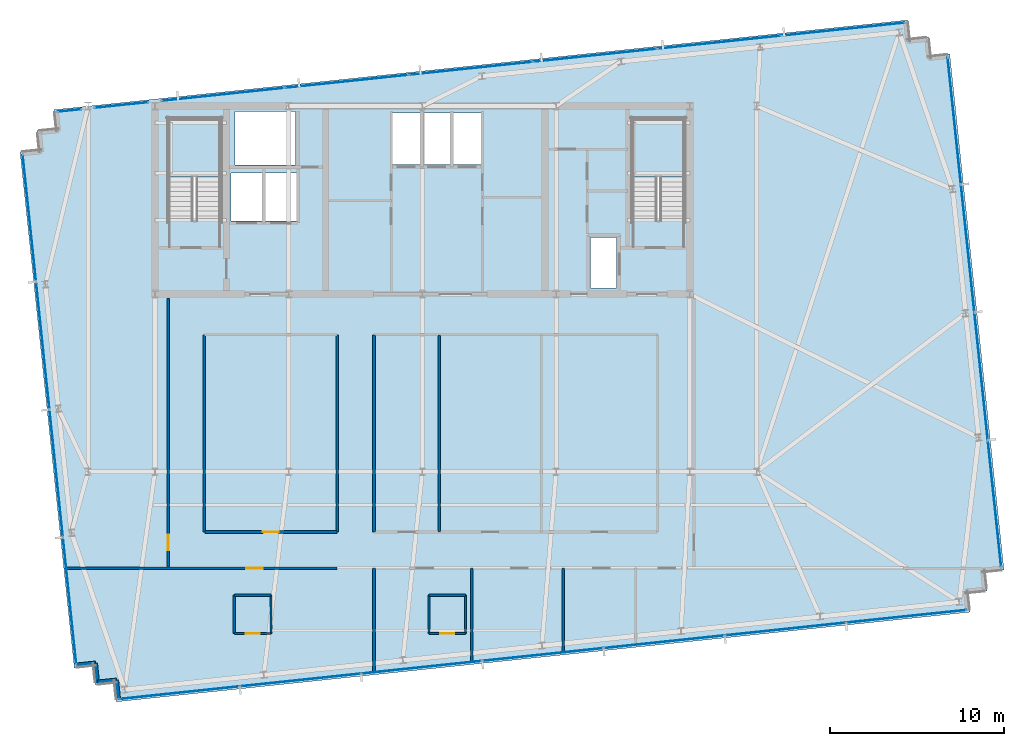
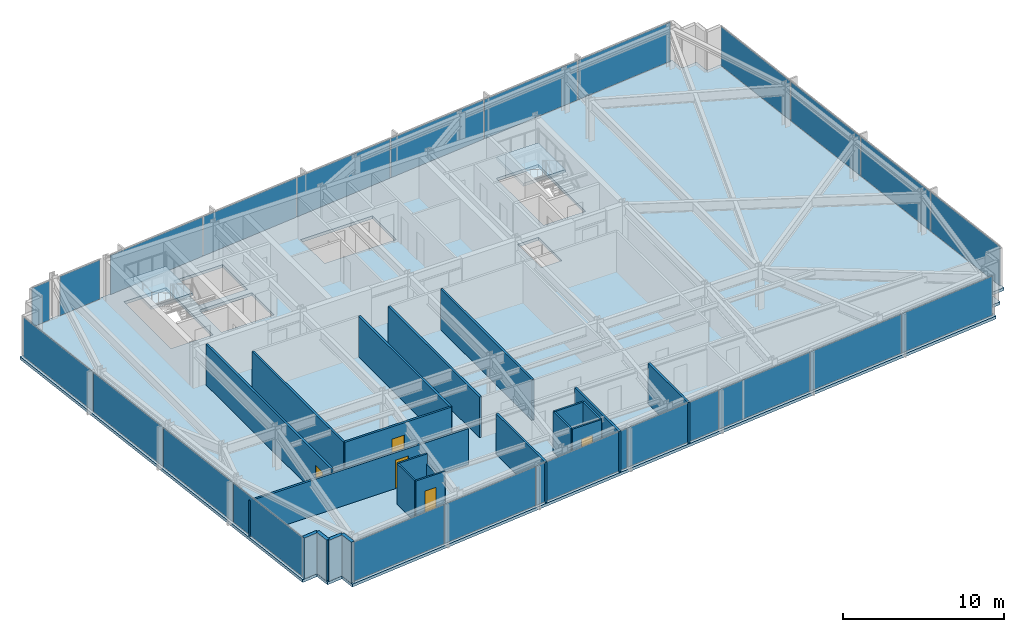
# One storey, part 26 of 32: 23 plates, 22 walls, 5 doors, 3 slabs, 5 openings, 8 elements without a shape of their own.
"""IFC4 building model written with IfcOpenShell, lengths in metres."""

from ifc_helpers import new_model, si_unit, direction, frame, frame_2d, origin, origin_2d, place, context, subcontext, project, spatial, polyline, rectangle, outline, extrude, material, layer, layer_set, type_object, element, fill, aggregate, save


model = new_model("IFC4")

# Units and contexts
model_context = context("Model", 3, precision=1e-05, world=origin(), true_north=direction((0.0, 1.0)))
body_context = subcontext(model_context, "Body", "Model", "MODEL_VIEW")
ifc_project = project(units=[si_unit("LENGTHUNIT", "METRE"), si_unit("AREAUNIT", "SQUARE_METRE"), si_unit("VOLUMEUNIT", "CUBIC_METRE"), si_unit("PLANEANGLEUNIT", "RADIAN"), si_unit("MASSUNIT", "GRAM", prefix="KILO")], contexts=[model_context])

# Site, building, storey
site_placement = place(None, origin())
site = spatial("IfcSite", under=ifc_project, at=site_placement, CompositionType="ELEMENT")
building_placement = place(site_placement, origin())
building = spatial("IfcBuilding", under=site, at=building_placement, Name="Yelkora Congress Tower", CompositionType="ELEMENT")
storey_placement = place(building_placement, frame((0.0, 0.0, 217.699951171875)))
storey = spatial("IfcBuildingStorey", under=building, at=storey_placement, Name="L60", CompositionType="ELEMENT", Elevation=217.699951171875)

# Curtain wall, plates
ifc_material_1 = material(Name="Anodised aluminium and insulated glass", Category="aluminium")
curtain_wall_type = type_object("IfcCurtainWallType", Name="CW-SYS-B4", PredefinedType="NOTDEFINED", material=ifc_material_1)
curtain_wall_1_placement = place(storey_placement, origin())
curtain_wall_1 = element("IfcCurtainWall", 1, at=curtain_wall_1_placement, inside=storey, type_object=curtain_wall_type, Name="L60 Unitised Curtain Wall 5", PredefinedType="NOTDEFINED")
ifc_material_2 = material(Name="Triple-silver diplomatic glass unit B4", Category="glass")
ifc_layer_1 = layer(ifc_material_2, 0.035888671875)
ifc_layer_set_1 = layer_set([ifc_layer_1], Name="Triple-silver diplomatic glass unit B4")
plate_type = type_object("IfcPlateType", Name="PLT-PN-B4", PredefinedType="CURTAIN_PANEL", material=ifc_layer_set_1)
plate_1_placement = place(storey_placement, frame((18.139404296875, 17.7724609375, 0.06005859375), z_axis=(0.0, 0.0, 1.0), x_axis=(-0.104526079034, 0.994522145958, 0.0)))
plate_1 = element("IfcPlate", 2, at=plate_1_placement, type_object=plate_type, Name="CW-B4 panel 1.1", PredefinedType="CURTAIN_PANEL", context=body_context, shape_type="SweptSolid", body=[
    extrude(rectangle(XDim=7.282470703125, YDim=0.035888671875, at=origin_2d()), origin(), (0.0, 0.0, 1.0), 2.9599609375),
])
plate_2_placement = place(storey_placement, frame((17.36962890625, 25.095703125, 0.06005859375), z_axis=(0.0, 0.0, 1.0), x_axis=(-0.104526079034, 0.994522145958, 0.0)))
plate_2 = element("IfcPlate", 3, at=plate_2_placement, type_object=plate_type, Name="CW-B4 panel 2.1", PredefinedType="CURTAIN_PANEL", context=body_context, shape_type="SweptSolid", body=[
    extrude(rectangle(XDim=7.31494140625, YDim=0.035888671875, at=origin_2d()), origin(), (0.0, 0.0, 1.0), 2.9599609375),
])
plate_3_placement = place(storey_placement, frame((16.59814453125, 32.435302734375, 0.06005859375), z_axis=(0.0, 0.0, 1.0), x_axis=(-0.104526079034, 0.994522145958, 0.0)))
plate_3 = element("IfcPlate", 4, at=plate_3_placement, type_object=plate_type, Name="CW-B4 panel 3.1", PredefinedType="CURTAIN_PANEL", context=body_context, shape_type="SweptSolid", body=[
    extrude(rectangle(XDim=7.31494140625, YDim=0.035888671875, at=origin_2d()), origin(), (0.0, 0.0, 1.0), 2.9599609375),
])
plate_4_placement = place(storey_placement, frame((15.82861328125, 39.7587890625, 0.06005859375), z_axis=(0.0, 0.0, 1.0), x_axis=(-0.104526079034, 0.994522145958, 0.0)))
plate_4 = element("IfcPlate", 5, at=plate_4_placement, type_object=plate_type, Name="CW-B4 panel 4.1", PredefinedType="CURTAIN_PANEL", context=body_context, shape_type="SweptSolid", body=[
    extrude(rectangle(XDim=7.282470703125, YDim=0.035888671875, at=origin_2d()), origin(), (0.0, 0.0, 1.0), 2.9599609375),
])
aggregate(curtain_wall_1, [plate_1, plate_2, plate_3, plate_4])

# Curtain wall, plate
curtain_wall_2_placement = place(storey_placement, origin())
curtain_wall_2 = element("IfcCurtainWall", 6, at=curtain_wall_2_placement, inside=storey, type_object=curtain_wall_type, Name="L60 Unitised Curtain Wall 10 (1)", PredefinedType="NOTDEFINED")
plate_5_placement = place(storey_placement, frame((18.136474609375, 45.940185546875, 0.06005859375), z_axis=(0.0, 0.0, 1.0), x_axis=(0.994523910137, 0.104509292244, 0.0)))
plate_5 = element("IfcPlate", 7, at=plate_5_placement, type_object=plate_type, Name="CW-B4 panel 1.1", PredefinedType="CURTAIN_PANEL", context=body_context, shape_type="SweptSolid", body=[
    extrude(rectangle(XDim=1.35302734375, YDim=0.035888671875, at=origin_2d()), origin(), (0.0, 0.0, 1.0), 2.9599609375),
])
aggregate(curtain_wall_2, [plate_5])

curtain_wall_3_placement = place(storey_placement, origin())
curtain_wall_3 = element("IfcCurtainWall", 8, at=curtain_wall_3_placement, inside=storey, type_object=curtain_wall_type, Name="L60 Unitised Curtain Wall 10 (2)", PredefinedType="NOTDEFINED")
plate_6_placement = place(storey_placement, frame((21.1201171875, 46.253662109375, 0.06005859375), z_axis=(0.0, 0.0, 1.0), x_axis=(0.994524239868, 0.104506154437, 0.0)))
plate_6 = element("IfcPlate", 9, at=plate_6_placement, type_object=plate_type, Name="CW-B4 panel 1.1", PredefinedType="CURTAIN_PANEL", context=body_context, shape_type="SweptSolid", body=[
    extrude(rectangle(XDim=3.075439453125, YDim=0.035888671875, at=origin_2d()), origin(), (0.0, 0.0, 1.0), 2.9599609375),
])
aggregate(curtain_wall_3, [plate_6])

# Curtain wall, plates
curtain_wall_4_placement = place(storey_placement, origin())
curtain_wall_4 = element("IfcCurtainWall", 10, at=curtain_wall_4_placement, inside=storey, type_object=curtain_wall_type, Name="L60 Unitised Curtain Wall 10 (3)", PredefinedType="NOTDEFINED")
plate_7_placement = place(storey_placement, frame((26.947509765625, 46.8662109375, 0.06005859375), z_axis=(0.0, 0.0, 1.0), x_axis=(0.994521973066, 0.104527724021, 0.0)))
plate_7 = element("IfcPlate", 11, at=plate_7_placement, type_object=plate_type, Name="CW-B4 panel 1.1", PredefinedType="CURTAIN_PANEL", context=body_context, shape_type="SweptSolid", body=[
    extrude(rectangle(XDim=7.072509765625, YDim=0.035888671875, at=origin_2d()), origin(), (0.0, 0.0, 1.0), 2.9599609375),
])
plate_8_placement = place(storey_placement, frame((34.06201171875, 47.614013671875, 0.06005859375), z_axis=(0.0, 0.0, 1.0), x_axis=(0.994521973066, 0.104527724021, 0.0)))
plate_8 = element("IfcPlate", 12, at=plate_8_placement, type_object=plate_type, Name="CW-B4 panel 2.1", PredefinedType="CURTAIN_PANEL", context=body_context, shape_type="SweptSolid", body=[
    extrude(rectangle(XDim=7.10498046875, YDim=0.035888671875, at=origin_2d()), origin(), (0.0, 0.0, 1.0), 2.9599609375),
])
plate_9_placement = place(storey_placement, frame((41.19287109375, 48.363525390625, 0.06005859375), z_axis=(0.0, 0.0, 1.0), x_axis=(0.994521973066, 0.104527724021, 0.0)))
plate_9 = element("IfcPlate", 13, at=plate_9_placement, type_object=plate_type, Name="CW-B4 panel 3.1", PredefinedType="CURTAIN_PANEL", context=body_context, shape_type="SweptSolid", body=[
    extrude(rectangle(XDim=7.10498046875, YDim=0.035888671875, at=origin_2d()), origin(), (0.0, 0.0, 1.0), 2.9599609375),
])
plate_10_placement = place(storey_placement, frame((48.32373046875, 49.113037109375, 0.06005859375), z_axis=(0.0, 0.0, 1.0), x_axis=(0.994521973066, 0.104527724021, 0.0)))
plate_10 = element("IfcPlate", 14, at=plate_10_placement, type_object=plate_type, Name="CW-B4 panel 4.1", PredefinedType="CURTAIN_PANEL", context=body_context, shape_type="SweptSolid", body=[
    extrude(rectangle(XDim=7.10498046875, YDim=0.035888671875, at=origin_2d()), origin(), (0.0, 0.0, 1.0), 2.9599609375),
])
plate_11_placement = place(storey_placement, frame((55.454345703125, 49.8623046875, 0.06005859375), z_axis=(0.0, 0.0, 1.0), x_axis=(0.994521973066, 0.104527724021, 0.0)))
plate_11 = element("IfcPlate", 15, at=plate_11_placement, type_object=plate_type, Name="CW-B4 panel 5.1", PredefinedType="CURTAIN_PANEL", context=body_context, shape_type="SweptSolid", body=[
    extrude(rectangle(XDim=7.10498046875, YDim=0.035888671875, at=origin_2d()), origin(), (0.0, 0.0, 1.0), 2.9599609375),
])
plate_12_placement = place(storey_placement, frame((62.56884765625, 50.610107421875, 0.06005859375), z_axis=(0.0, 0.0, 1.0), x_axis=(0.994521973066, 0.104527724021, 0.0)))
plate_12 = element("IfcPlate", 16, at=plate_12_placement, type_object=plate_type, Name="CW-B4 panel 6.1", PredefinedType="CURTAIN_PANEL", context=body_context, shape_type="SweptSolid", body=[
    extrude(rectangle(XDim=7.072509765625, YDim=0.035888671875, at=origin_2d()), origin(), (0.0, 0.0, 1.0), 2.9599609375),
])
aggregate(curtain_wall_4, [plate_7, plate_8, plate_9, plate_10, plate_11, plate_12])

curtain_wall_5_placement = place(storey_placement, origin())
curtain_wall_5 = element("IfcCurtainWall", 17, at=curtain_wall_5_placement, inside=storey, type_object=curtain_wall_type, Name="L60 Unitised Curtain Wall 15", PredefinedType="NOTDEFINED")
plate_13_placement = place(storey_placement, frame((68.955810546875, 45.3427734375, 0.06005859375), z_axis=(0.0, 0.0, 1.0), x_axis=(0.104525726898, -0.994522182968, 0.0)))
plate_13 = element("IfcPlate", 18, at=plate_13_placement, type_object=plate_type, Name="CW-B4 panel 1.1", PredefinedType="CURTAIN_PANEL", context=body_context, shape_type="SweptSolid", body=[
    extrude(rectangle(XDim=7.282470703125, YDim=0.035888671875, at=origin_2d()), origin(), (0.0, 0.0, 1.0), 2.9599609375),
])
plate_14_placement = place(storey_placement, frame((69.7255859375, 38.019287109375, 0.06005859375), z_axis=(0.0, 0.0, 1.0), x_axis=(0.104525726898, -0.994522182968, 0.0)))
plate_14 = element("IfcPlate", 19, at=plate_14_placement, type_object=plate_type, Name="CW-B4 panel 2.1", PredefinedType="CURTAIN_PANEL", context=body_context, shape_type="SweptSolid", body=[
    extrude(rectangle(XDim=7.31494140625, YDim=0.035888671875, at=origin_2d()), origin(), (0.0, 0.0, 1.0), 2.9599609375),
])
plate_15_placement = place(storey_placement, frame((70.496826171875, 30.6796875, 0.06005859375), z_axis=(0.0, 0.0, 1.0), x_axis=(0.104525726898, -0.994522182968, 0.0)))
plate_15 = element("IfcPlate", 20, at=plate_15_placement, type_object=plate_type, Name="CW-B4 panel 3.1", PredefinedType="CURTAIN_PANEL", context=body_context, shape_type="SweptSolid", body=[
    extrude(rectangle(XDim=7.31494140625, YDim=0.035888671875, at=origin_2d()), origin(), (0.0, 0.0, 1.0), 2.9599609375),
])
plate_16_placement = place(storey_placement, frame((71.2666015625, 23.356201171875, 0.06005859375), z_axis=(0.0, 0.0, 1.0), x_axis=(0.104525726898, -0.994522182968, 0.0)))
plate_16 = element("IfcPlate", 21, at=plate_16_placement, type_object=plate_type, Name="CW-B4 panel 4.1", PredefinedType="CURTAIN_PANEL", context=body_context, shape_type="SweptSolid", body=[
    extrude(rectangle(XDim=7.282470703125, YDim=0.035888671875, at=origin_2d()), origin(), (0.0, 0.0, 1.0), 2.9599609375),
])
aggregate(curtain_wall_5, [plate_13, plate_14, plate_15, plate_16])

curtain_wall_6_placement = place(storey_placement, origin())
curtain_wall_6 = element("IfcCurtainWall", 22, at=curtain_wall_6_placement, inside=storey, type_object=curtain_wall_type, Name="L60 Unitised Curtain Wall 20", PredefinedType="NOTDEFINED")
plate_17_placement = place(storey_placement, frame((66.19775390625, 16.884765625, 0.06005859375), z_axis=(0.0, 0.0, 1.0), x_axis=(-0.994522084373, -0.104526664994, 0.0)))
plate_17 = element("IfcPlate", 23, at=plate_17_placement, type_object=plate_type, Name="CW-B4 panel 1.1", PredefinedType="CURTAIN_PANEL", context=body_context, shape_type="SweptSolid", body=[
    extrude(rectangle(XDim=6.9052734375, YDim=0.035888671875, at=origin_2d()), origin(), (0.0, 0.0, 1.0), 2.9599609375),
])
plate_18_placement = place(storey_placement, frame((59.249267578125, 16.154541015625, 0.06005859375), z_axis=(0.0, 0.0, 1.0), x_axis=(-0.994522084373, -0.104526664994, 0.0)))
plate_18 = element("IfcPlate", 24, at=plate_18_placement, type_object=plate_type, Name="CW-B4 panel 2.1", PredefinedType="CURTAIN_PANEL", context=body_context, shape_type="SweptSolid", body=[
    extrude(rectangle(XDim=6.937744140625, YDim=0.035888671875, at=origin_2d()), origin(), (0.0, 0.0, 1.0), 2.9599609375),
])
plate_19_placement = place(storey_placement, frame((52.284912109375, 15.42236328125, 0.06005859375), z_axis=(0.0, 0.0, 1.0), x_axis=(-0.994522084373, -0.104526664994, 0.0)))
plate_19 = element("IfcPlate", 25, at=plate_19_placement, type_object=plate_type, Name="CW-B4 panel 3.1", PredefinedType="CURTAIN_PANEL", context=body_context, shape_type="SweptSolid", body=[
    extrude(rectangle(XDim=6.937744140625, YDim=0.035888671875, at=origin_2d()), origin(), (0.0, 0.0, 1.0), 2.9599609375),
])
plate_20_placement = place(storey_placement, frame((45.3203125, 14.6904296875, 0.06005859375), z_axis=(0.0, 0.0, 1.0), x_axis=(-0.994522084373, -0.104526664994, 0.0)))
plate_20 = element("IfcPlate", 26, at=plate_20_placement, type_object=plate_type, Name="CW-B4 panel 4.1", PredefinedType="CURTAIN_PANEL", context=body_context, shape_type="SweptSolid", body=[
    extrude(rectangle(XDim=6.937744140625, YDim=0.035888671875, at=origin_2d()), origin(), (0.0, 0.0, 1.0), 2.9599609375),
])
plate_21_placement = place(storey_placement, frame((38.35595703125, 13.95849609375, 0.06005859375), z_axis=(0.0, 0.0, 1.0), x_axis=(-0.994522084373, -0.104526664994, 0.0)))
plate_21 = element("IfcPlate", 27, at=plate_21_placement, type_object=plate_type, Name="CW-B4 panel 5.1", PredefinedType="CURTAIN_PANEL", context=body_context, shape_type="SweptSolid", body=[
    extrude(rectangle(XDim=6.937744140625, YDim=0.035888671875, at=origin_2d()), origin(), (0.0, 0.0, 1.0), 2.9599609375),
])
plate_22_placement = place(storey_placement, frame((31.391357421875, 13.2265625, 0.06005859375), z_axis=(0.0, 0.0, 1.0), x_axis=(-0.994522084373, -0.104526664994, 0.0)))
plate_22 = element("IfcPlate", 28, at=plate_22_placement, type_object=plate_type, Name="CW-B4 panel 6.1", PredefinedType="CURTAIN_PANEL", context=body_context, shape_type="SweptSolid", body=[
    extrude(rectangle(XDim=6.937744140625, YDim=0.035888671875, at=origin_2d()), origin(), (0.0, 0.0, 1.0), 2.9599609375),
])
plate_23_placement = place(storey_placement, frame((24.443115234375, 12.49609375, 0.06005859375), z_axis=(0.0, 0.0, 1.0), x_axis=(-0.994522084373, -0.104526664994, 0.0)))
plate_23 = element("IfcPlate", 29, at=plate_23_placement, type_object=plate_type, Name="CW-B4 panel 7.1", PredefinedType="CURTAIN_PANEL", context=body_context, shape_type="SweptSolid", body=[
    extrude(rectangle(XDim=6.9052734375, YDim=0.035888671875, at=origin_2d()), origin(), (0.0, 0.0, 1.0), 2.9599609375),
])
aggregate(curtain_wall_6, [plate_17, plate_18, plate_19, plate_20, plate_21, plate_22, plate_23])

# Stair, slab
ifc_material_3 = material(Name="Concrete C40/50", Category="concrete")
stair_type = type_object("IfcStairType", Name="STAIR-HT-1420-R20-165", PredefinedType="HALF_TURN_STAIR", material=ifc_material_3)
stair_1_placement = place(storey_placement, origin())
stair_1 = element("IfcStair", 30, at=stair_1_placement, inside=storey, type_object=stair_type, Name="West Core Protected Exit Stair ST-01 (L60)", PredefinedType="HALF_TURN_STAIR")
ifc_layer_2 = layer(ifc_material_3, 0.219970703125)
ifc_layer_set_2 = layer_set([ifc_layer_2], Name="Concrete C40/50")
slab_type_1 = type_object("IfcSlabType", Name="SLAB-LANDING-220", PredefinedType="LANDING", material=ifc_layer_set_2)
slab_1_placement = place(storey_placement, frame((0.0, 0.0, 1.429931640625)))
slab_1 = element("IfcSlab", 31, at=slab_1_placement, type_object=slab_type_1, Name="ST-01 L60 Half Landing 1", PredefinedType="LANDING", context=body_context, shape_type="SweptSolid", body=[
    extrude(outline(polyline([(26.820068359375, 42.1201171875), (26.820068359375, 45.469970703125), (23.820068359375, 45.469970703125), (23.820068359375, 42.1201171875), (26.820068359375, 42.1201171875)])), origin(), (0.0, 0.0, 1.0), 0.22021484375),
])
aggregate(stair_1, [slab_1])

stair_2_placement = place(storey_placement, origin())
stair_2 = element("IfcStair", 32, at=stair_2_placement, inside=storey, type_object=stair_type, Name="East Core Protected Exit Stair ST-02 (L60)", PredefinedType="HALF_TURN_STAIR")
slab_2_placement = place(storey_placement, frame((0.0, 0.0, 1.429931640625)))
slab_2 = element("IfcSlab", 33, at=slab_2_placement, type_object=slab_type_1, Name="ST-02 L60 Half Landing 1", PredefinedType="LANDING", context=body_context, shape_type="SweptSolid", body=[
    extrude(outline(polyline([(53.4599609375, 42.1201171875), (53.4599609375, 45.469970703125), (50.4599609375, 45.469970703125), (50.4599609375, 42.1201171875), (53.4599609375, 42.1201171875)])), origin(), (0.0, 0.0, 1.0), 0.22021484375),
])
aggregate(stair_2, [slab_2])

# Slab
ifc_layer_3 = layer(ifc_material_3, 0.219970703125)
ifc_layer_set_3 = layer_set([ifc_layer_3], Name="Concrete C40/50")
slab_type_2 = type_object("IfcSlabType", Name="SLAB-TWR-220", PredefinedType="FLOOR", material=ifc_layer_set_3)
slab_3_placement = place(storey_placement, frame((0.0, 0.0, -0.219970703125)))
element("IfcSlab", 34, at=slab_3_placement, inside=storey, type_object=slab_type_2, Name="L60 Structural Floor Slab", PredefinedType="FLOOR", context=body_context, shape_type="SweptSolid", body=[
    extrude(outline(polyline([(20.820068359375, 11.974609375), (69.85009765625, 17.127685546875), (69.735107421875, 18.2216796875), (70.828857421875, 18.3369140625), (70.714111328125, 19.430908203125), (71.807861328125, 19.545654296875), (68.693115234375, 49.1826171875), (67.59912109375, 49.0673828125), (67.48388671875, 50.16162109375), (66.39013671875, 50.04638671875), (66.275146484375, 51.140380859375), (17.2451171875, 45.9873046875), (17.360107421875, 44.893310546875), (16.26611328125, 44.7783203125), (16.381103515625, 43.684326171875), (15.287109375, 43.5693359375), (18.402099609375, 13.9326171875), (19.49609375, 14.047607421875), (19.611083984375, 12.95361328125), (20.705078125, 13.068603515625), (20.820068359375, 11.974609375)]), holes=[polyline([(23.820068359375, 39.6298828125), (26.820068359375, 39.6298828125), (26.820068359375, 45.469970703125), (23.820068359375, 45.469970703125), (23.820068359375, 39.6298828125)]), polyline([(50.4599609375, 39.6298828125), (53.4599609375, 39.6298828125), (53.4599609375, 45.469970703125), (50.4599609375, 45.469970703125), (50.4599609375, 39.6298828125)]), polyline([(48.050048828125, 35.75), (49.550048828125, 35.75), (49.550048828125, 38.64990234375), (48.050048828125, 38.64990234375), (48.050048828125, 35.75)]), polyline([(36.64990234375, 42.85009765625), (41.800048828125, 42.85009765625), (41.800048828125, 45.800048828125), (36.64990234375, 45.800048828125), (36.64990234375, 42.85009765625)]), polyline([(27.419921875, 39.60009765625), (31.179931640625, 39.60009765625), (31.179931640625, 42.35009765625), (27.419921875, 42.35009765625), (27.419921875, 39.60009765625)]), polyline([(27.64990234375, 42.820068359375), (31.1201171875, 42.820068359375), (31.1201171875, 45.8798828125), (27.64990234375, 45.8798828125), (27.64990234375, 42.820068359375)])]), origin(), (0.0, 0.0, 1.0), 0.219970703125),
])

# Walls
ifc_layer_4 = layer(ifc_material_3, 0.239990234375)
ifc_layer_set_4 = layer_set([ifc_layer_4], Name="Concrete C40/50")
wall_type_1 = type_object("IfcWallType", Name="WALL-EXT-LIMESTONE-240", PredefinedType="SOLIDWALL", material=ifc_layer_set_4)
for number, where, z_axis, x_axis, name in (
    (35, (20.944580078125, 12.12841796875, 0.0), (0.0, 0.0, 1.0), (-0.104534592565, 0.994521251134, 0.0), "L60 Serrated Corner Limestone Pier 1"),
    (36, (20.82958984375, 13.222412109375, 0.0), (0.0, 0.0, 1.0), (-0.994521251134, -0.104534592565, 0.0), "L60 Serrated Corner Limestone Pier 2"),
    (37, (19.735595703125, 13.107421875, 0.0), (0.0, 0.0, 1.0), (-0.104534592565, 0.994521251134, 0.0), "L60 Serrated Corner Limestone Pier 3"),
    (38, (19.62060546875, 14.201416015625, 0.0), (0.0, 0.0, 1.0), (-0.994521251134, -0.104534592565, 0.0), "L60 Serrated Corner Limestone Pier 4"),
):
    element("IfcWall", number, at=place(storey_placement, frame(where, z_axis=z_axis, x_axis=x_axis)), inside=storey, type_object=wall_type_1, Name=name, PredefinedType="SOLIDWALL", context=body_context, shape_type="SweptSolid", body=[
        extrude(rectangle(XDim=1.10009765625, YDim=0.239990234375, at=frame_2d((0.550048828125, 0.0))), origin(), (0.0, 0.0, 1.0), 3.080078125),
    ])
ifc_material_4 = material(Name="Moisture-resistant gypsum partition", Category="gypsum")
ifc_layer_5 = layer(ifc_material_4, 0.1201171875)
ifc_layer_set_5 = layer_set([ifc_layer_5], Name="Moisture-resistant gypsum partition")
wall_type_2 = type_object("IfcWallType", Name="WALL-INT-120-NR", PredefinedType="PARTITIONING", material=ifc_layer_set_5)
wall_1_placement = place(storey_placement, frame((27.594970703125, 18.10009765625, 0.0), z_axis=(0.0, 0.0, 1.0), x_axis=(1.0, 0.0, 0.0)))
element("IfcWall", 39, at=wall_1_placement, inside=storey, type_object=wall_type_2, Name="L60 Partition Wall 23", PredefinedType="PARTITIONING", context=body_context, shape_type="SweptSolid", body=[
    extrude(rectangle(XDim=2.10009765625, YDim=0.1201171875, at=frame_2d((1.050048828125, 0.0))), origin(), (0.0, 0.0, 1.0), 3.080078125),
])
wall_2_placement = place(storey_placement, frame((27.594970703125, 15.89990234375, 0.0), z_axis=(0.0, 0.0, 1.0), x_axis=(0.0, 1.0, 0.0)))
element("IfcWall", 40, at=wall_2_placement, inside=storey, type_object=wall_type_2, Name="L60 Partition Wall 24", PredefinedType="PARTITIONING", context=body_context, shape_type="SweptSolid", body=[
    extrude(rectangle(XDim=2.2001953125, YDim=0.1201171875, at=frame_2d((1.10009765625, 0.0))), origin(), (0.0, 0.0, 1.0), 3.080078125),
])
wall_3_placement = place(storey_placement, frame((29.695068359375, 15.89990234375, 0.0), z_axis=(0.0, 0.0, 1.0), x_axis=(0.0, 1.0, 0.0)))
element("IfcWall", 41, at=wall_3_placement, inside=storey, type_object=wall_type_2, Name="L60 Partition Wall 25", PredefinedType="PARTITIONING", context=body_context, shape_type="SweptSolid", body=[
    extrude(rectangle(XDim=2.2001953125, YDim=0.1201171875, at=frame_2d((1.10009765625, 0.0))), origin(), (0.0, 0.0, 1.0), 2.31298828125),
])

# Wall, opening, door
wall_4_placement = place(storey_placement, frame((27.594970703125, 15.89990234375, 0.0), z_axis=(0.0, 0.0, 1.0), x_axis=(1.0, 0.0, 0.0)))
wall_4 = element("IfcWall", 42, at=wall_4_placement, inside=storey, type_object=wall_type_2, Name="L60 Partition Wall 26", PredefinedType="PARTITIONING", context=body_context, shape_type="SweptSolid", body=[
    extrude(rectangle(XDim=2.10009765625, YDim=0.1201171875, at=frame_2d((1.050048828125, 0.0))), origin(), (0.0, 0.0, 1.0), 3.080078125),
])
opening_1_placement = place(wall_4_placement, frame((0.64990234375, 0.0, 0.0)))
opening_1 = element("IfcOpeningElement", 43, at=opening_1_placement, cuts=wall_4, Name="Opening DR-080B", PredefinedType="OPENING", context=body_context, shape_type="SweptSolid", body=[
    extrude(rectangle(XDim=0.800048828125, YDim=2.10009765625, at=frame_2d((0.39990234375, 1.050048828125))), frame((0.0, 0.070068359375, 0.0), z_axis=(0.0, -1.0, 0.0), x_axis=(1.0, 0.0, 0.0)), (0.0, 0.0, 1.0), 0.14013671875),
])
ifc_material_5 = material(Name="Moisture-sealed en-suite timber door", Category="wood")
door_type_1 = type_object("IfcDoorType", Name="DOOR-BATH-800", OperationType="NOTDEFINED", PredefinedType="DOOR", material=ifc_material_5)
door_1_placement = place(opening_1_placement, origin())
door_1 = element("IfcDoor", 44, at=door_1_placement, inside=storey, type_object=door_type_1, Name="L60 En-suite Door 1", OperationType="SINGLE_SWING_RIGHT", OverallHeight=2.10009765625, OverallWidth=0.800048828125, PredefinedType="DOOR", context=body_context, shape_type="SweptSolid", body=[
    extrude(rectangle(XDim=0.800048828125, YDim=2.10009765625, at=frame_2d((0.39990234375, 1.050048828125))), frame((0.0, 0.02490234375, 0.0), z_axis=(0.0, -1.0, 0.0), x_axis=(1.0, 0.0, 0.0)), (0.0, 0.0, 1.0), 0.050048828125),
])
fill(opening_1, door_1)

# Walls
wall_5_placement = place(storey_placement, frame((38.7880859375, 18.10009765625, 0.0), z_axis=(0.0, 0.0, 1.0), x_axis=(1.0, 0.0, 0.0)))
element("IfcWall", 45, at=wall_5_placement, inside=storey, type_object=wall_type_2, Name="L60 Partition Wall 27", PredefinedType="PARTITIONING", context=body_context, shape_type="SweptSolid", body=[
    extrude(rectangle(XDim=2.099853515625, YDim=0.1201171875, at=frame_2d((1.0498046875, 0.0))), origin(), (0.0, 0.0, 1.0), 3.080078125),
])
for number, where, z_axis, x_axis, name in (
    (46, (38.7880859375, 15.89990234375, 0.0), (0.0, 0.0, 1.0), (0.0, 1.0, 0.0), "L60 Partition Wall 28"),
    (47, (40.887939453125, 15.89990234375, 0.0), (0.0, 0.0, 1.0), (0.0, 1.0, 0.0), "L60 Partition Wall 29"),
):
    element("IfcWall", number, at=place(storey_placement, frame(where, z_axis=z_axis, x_axis=x_axis)), inside=storey, type_object=wall_type_2, Name=name, PredefinedType="PARTITIONING", context=body_context, shape_type="SweptSolid", body=[
        extrude(rectangle(XDim=2.2001953125, YDim=0.1201171875, at=frame_2d((1.10009765625, 0.0))), origin(), (0.0, 0.0, 1.0), 3.080078125),
    ])

# Wall, opening, door
wall_6_placement = place(storey_placement, frame((38.7880859375, 15.89990234375, 0.0), z_axis=(0.0, 0.0, 1.0), x_axis=(1.0, 0.0, 0.0)))
wall_6 = element("IfcWall", 48, at=wall_6_placement, inside=storey, type_object=wall_type_2, Name="L60 Partition Wall 30", PredefinedType="PARTITIONING", context=body_context, shape_type="SweptSolid", body=[
    extrude(rectangle(XDim=2.099853515625, YDim=0.1201171875, at=frame_2d((1.0498046875, 0.0))), origin(), (0.0, 0.0, 1.0), 3.080078125),
])
opening_2_placement = place(wall_6_placement, frame((0.64990234375, 0.0, 0.0)))
opening_2 = element("IfcOpeningElement", 49, at=opening_2_placement, cuts=wall_6, Name="Opening DR-080B", PredefinedType="OPENING", context=body_context, shape_type="SweptSolid", body=[
    extrude(rectangle(XDim=0.800048828125, YDim=2.10009765625, at=frame_2d((0.39990234375, 1.050048828125))), frame((0.0, 0.070068359375, 0.0), z_axis=(0.0, -1.0, 0.0), x_axis=(1.0, 0.0, 0.0)), (0.0, 0.0, 1.0), 0.14013671875),
])
door_2_placement = place(opening_2_placement, origin())
door_2 = element("IfcDoor", 50, at=door_2_placement, inside=storey, type_object=door_type_1, Name="L60 En-suite Door 3", OperationType="SINGLE_SWING_LEFT", OverallHeight=2.10009765625, OverallWidth=0.800048828125, PredefinedType="DOOR", context=body_context, shape_type="SweptSolid", body=[
    extrude(rectangle(XDim=0.800048828125, YDim=2.10009765625, at=frame_2d((0.39990234375, 1.050048828125))), frame((0.0, 0.02490234375, 0.0), z_axis=(0.0, -1.0, 0.0), x_axis=(1.0, 0.0, 0.0)), (0.0, 0.0, 1.0), 0.050048828125),
])
fill(opening_2, door_2)

ifc_material_6 = material(Name="Acoustic metal-stud gypsum partition", Category="gypsum")
ifc_layer_6 = layer(ifc_material_6, 0.14990234375)
ifc_layer_set_6 = layer_set([ifc_layer_6], Name="Acoustic metal-stud gypsum partition")
wall_type_3 = type_object("IfcWallType", Name="WALL-INT-150-NR", PredefinedType="PARTITIONING", material=ifc_layer_set_6)
wall_7_placement = place(storey_placement, frame((23.800048828125, 19.64990234375, 0.0), z_axis=(0.0, 0.0, 1.0), x_axis=(0.0, 1.0, 0.0)))
wall_7 = element("IfcWall", 51, at=wall_7_placement, inside=storey, type_object=wall_type_3, Name="L60 Partition Wall 37", PredefinedType="PARTITIONING", context=body_context, shape_type="SweptSolid", body=[
    extrude(rectangle(XDim=15.489990234375, YDim=0.14990234375, at=frame_2d((7.7451171875, 0.0))), origin(), (0.0, 0.0, 1.0), 3.080078125),
])
opening_3_placement = place(wall_7_placement, frame((1.030029296875, 0.0, 0.0)))
opening_3 = element("IfcOpeningElement", 52, at=opening_3_placement, cuts=wall_7, Name="Opening DR-090N", PredefinedType="OPENING", context=body_context, shape_type="SweptSolid", body=[
    extrude(rectangle(XDim=0.89990234375, YDim=2.14990234375, at=frame_2d((0.449951171875, 1.074951171875))), frame((0.0, 0.0849609375, 0.0), z_axis=(0.0, -1.0, 0.0), x_axis=(1.0, 0.0, 0.0)), (0.0, 0.0, 1.0), 0.169921875),
])
ifc_material_7 = material(Name="Moisture-resistant laminate door leaf", Category="wood")
door_type_2 = type_object("IfcDoorType", Name="DOOR-INT-900", OperationType="NOTDEFINED", PredefinedType="DOOR", material=ifc_material_7)
door_3_placement = place(opening_3_placement, origin())
door_3 = element("IfcDoor", 53, at=door_3_placement, inside=storey, type_object=door_type_2, Name="L60 W Wing Door", OperationType="SINGLE_SWING_LEFT", OverallHeight=2.14990234375, OverallWidth=0.89990234375, PredefinedType="DOOR", context=body_context, shape_type="SweptSolid", body=[
    extrude(rectangle(XDim=0.89990234375, YDim=2.14990234375, at=frame_2d((0.449951171875, 1.074951171875))), frame((0.0, 0.02490234375, 0.0), z_axis=(0.0, -1.0, 0.0), x_axis=(1.0, 0.0, 0.0)), (0.0, 0.0, 1.0), 0.050048828125),
])
fill(opening_3, door_3)

# Walls
for number, where, z_axis, x_axis, name in (
    (54, (25.8798828125, 21.72998046875, 0.0), (0.0, 0.0, 1.0), (0.0, 1.0, 0.0), "L60 Partition Wall 39"),
    (55, (33.5, 21.72998046875, 0.0), (0.0, 0.0, 1.0), (0.0, 1.0, 0.0), "L60 Partition Wall 41"),
    (56, (35.6201171875, 21.72998046875, 0.0), (0.0, 0.0, 1.0), (0.0, 1.0, 0.0), "L60 Partition Wall 42"),
):
    element("IfcWall", number, at=place(storey_placement, frame(where, z_axis=z_axis, x_axis=x_axis)), inside=storey, type_object=wall_type_3, Name=name, PredefinedType="PARTITIONING", context=body_context, shape_type="SweptSolid", body=[
        extrude(rectangle(XDim=11.320068359375, YDim=0.14990234375, at=frame_2d((5.66015625, 0.0))), origin(), (0.0, 0.0, 1.0), 3.080078125),
    ])

# Wall, opening, door
wall_8_placement = place(storey_placement, frame((25.89990234375, 21.72998046875, 0.0), z_axis=(0.0, 0.0, 1.0), x_axis=(1.0, 0.0, 0.0)))
wall_8 = element("IfcWall", 57, at=wall_8_placement, inside=storey, type_object=wall_type_3, Name="L60 Partition Wall 45", PredefinedType="PARTITIONING", context=body_context, shape_type="SweptSolid", body=[
    extrude(rectangle(XDim=7.590087890625, YDim=0.14990234375, at=frame_2d((3.794921875, 0.0))), origin(), (0.0, 0.0, 1.0), 3.080078125),
])
opening_4_placement = place(wall_8_placement, frame((3.344970703125, 0.0, 0.0)))
opening_4 = element("IfcOpeningElement", 58, at=opening_4_placement, cuts=wall_8, Name="Opening DR-090N", PredefinedType="OPENING", context=body_context, shape_type="SweptSolid", body=[
    extrude(rectangle(XDim=0.89990234375, YDim=2.14990234375, at=frame_2d((0.449951171875, 1.074951171875))), frame((0.0, 0.0849609375, 0.0), z_axis=(0.0, -1.0, 0.0), x_axis=(1.0, 0.0, 0.0)), (0.0, 0.0, 1.0), 0.169921875),
])
door_4_placement = place(opening_4_placement, origin())
door_4 = element("IfcDoor", 59, at=door_4_placement, inside=storey, type_object=door_type_2, Name="L60 Housekeeping & Linen Room Door", OperationType="SINGLE_SWING_LEFT", OverallHeight=2.14990234375, OverallWidth=0.89990234375, PredefinedType="DOOR", context=body_context, shape_type="SweptSolid", body=[
    extrude(rectangle(XDim=0.89990234375, YDim=2.14990234375, at=frame_2d((0.449951171875, 1.074951171875))), frame((0.0, 0.02490234375, 0.0), z_axis=(0.0, -1.0, 0.0), x_axis=(1.0, 0.0, 0.0)), (0.0, 0.0, 1.0), 0.050048828125),
])
fill(opening_4, door_4)

# Walls
wall_9_placement = place(storey_placement, frame((39.3720703125, 21.72998046875, 0.0), z_axis=(0.0, 0.0, 1.0), x_axis=(0.0, 1.0, 0.0)))
element("IfcWall", 60, at=wall_9_placement, inside=storey, type_object=wall_type_3, Name="L60 Partition Wall 46", PredefinedType="PARTITIONING", context=body_context, shape_type="SweptSolid", body=[
    extrude(rectangle(XDim=11.320068359375, YDim=0.14990234375, at=frame_2d((5.66015625, 0.0))), origin(), (0.0, 0.0, 1.0), 3.080078125),
])
ifc_material_8 = material(Name="Twin-stud fire-rated gypsum partition", Category="gypsum")
ifc_layer_7 = layer(ifc_material_8, 0.14990234375)
ifc_layer_set_7 = layer_set([ifc_layer_7], Name="Twin-stud fire-rated gypsum partition")
wall_type_4 = type_object("IfcWallType", Name="WALL-INT-150-R60", PredefinedType="PARTITIONING", material=ifc_layer_set_7)
wall_10_placement = place(storey_placement, frame((35.6201171875, 13.610595703125, 0.0), z_axis=(0.0, 0.0, 1.0), x_axis=(0.0, 1.0, 0.0)))
element("IfcWall", 61, at=wall_10_placement, inside=storey, type_object=wall_type_4, Name="L60 Partition Wall 31", PredefinedType="PARTITIONING", context=body_context, shape_type="SweptSolid", body=[
    extrude(rectangle(XDim=6.059326171875, YDim=0.14990234375, at=frame_2d((3.02978515625, 0.0))), origin(), (0.0, 0.0, 1.0), 3.080078125),
])
wall_11_placement = place(storey_placement, frame((41.238037109375, 14.200927734375, 0.0), z_axis=(0.0, 0.0, 1.0), x_axis=(0.0, 1.0, 0.0)))
element("IfcWall", 62, at=wall_11_placement, inside=storey, type_object=wall_type_4, Name="L60 Partition Wall 32", PredefinedType="PARTITIONING", context=body_context, shape_type="SweptSolid", body=[
    extrude(rectangle(XDim=5.468994140625, YDim=0.14990234375, at=frame_2d((2.734375, 0.0))), origin(), (0.0, 0.0, 1.0), 3.080078125),
])
wall_12_placement = place(storey_placement, frame((46.498046875, 14.75390625, 0.0), z_axis=(0.0, 0.0, 1.0), x_axis=(0.0, 1.0, 0.0)))
element("IfcWall", 63, at=wall_12_placement, inside=storey, type_object=wall_type_4, Name="L60 Partition Wall 33", PredefinedType="PARTITIONING", context=body_context, shape_type="SweptSolid", body=[
    extrude(rectangle(XDim=4.916015625, YDim=0.14990234375, at=frame_2d((2.4580078125, 0.0))), origin(), (0.0, 0.0, 1.0), 3.080078125),
])

# Wall, opening, door
wall_13_placement = place(storey_placement, frame((17.881591796875, 19.64990234375, 0.0), z_axis=(0.0, 0.0, 1.0), x_axis=(1.0, 0.0, 0.0)))
wall_13 = element("IfcWall", 64, at=wall_13_placement, inside=storey, type_object=wall_type_4, Name="L60 South Spine Wall West", PredefinedType="PARTITIONING", context=body_context, shape_type="SweptSolid", body=[
    extrude(rectangle(XDim=15.618408203125, YDim=0.14990234375, at=frame_2d((7.80908203125, 0.0))), origin(), (0.0, 0.0, 1.0), 2.715087890625),
])
opening_5_placement = place(wall_13_placement, frame((10.4033203125, 0.0, 0.0)))
opening_5 = element("IfcOpeningElement", 65, at=opening_5_placement, cuts=wall_13, Name="Opening DR-095F6", PredefinedType="OPENING", context=body_context, shape_type="SweptSolid", body=[
    extrude(rectangle(XDim=0.949951171875, YDim=2.14990234375, at=frame_2d((0.47509765625, 1.074951171875))), frame((0.0, 0.0849609375, 0.0), z_axis=(0.0, -1.0, 0.0), x_axis=(1.0, 0.0, 0.0)), (0.0, 0.0, 1.0), 0.169921875),
])
ifc_material_9 = material(Name="Acoustic oak-veneer fire door leaf", Category="wood")
door_type_3 = type_object("IfcDoorType", Name="DOOR-FD60-950", OperationType="NOTDEFINED", PredefinedType="DOOR", material=ifc_material_9)
door_5_placement = place(opening_5_placement, origin())
door_5 = element("IfcDoor", 66, at=door_5_placement, inside=storey, type_object=door_type_3, Name="L60 Diplomatic Suite 01 Entry Door", OperationType="SINGLE_SWING_RIGHT", OverallHeight=2.14990234375, OverallWidth=0.949951171875, PredefinedType="DOOR", context=body_context, shape_type="SweptSolid", body=[
    extrude(rectangle(XDim=0.949951171875, YDim=2.14990234375, at=frame_2d((0.47509765625, 1.074951171875))), frame((0.0, 0.02490234375, 0.0), z_axis=(0.0, -1.0, 0.0), x_axis=(1.0, 0.0, 0.0)), (0.0, 0.0, 1.0), 0.050048828125),
])
fill(opening_5, door_5)

save(model, "model.ifc")
